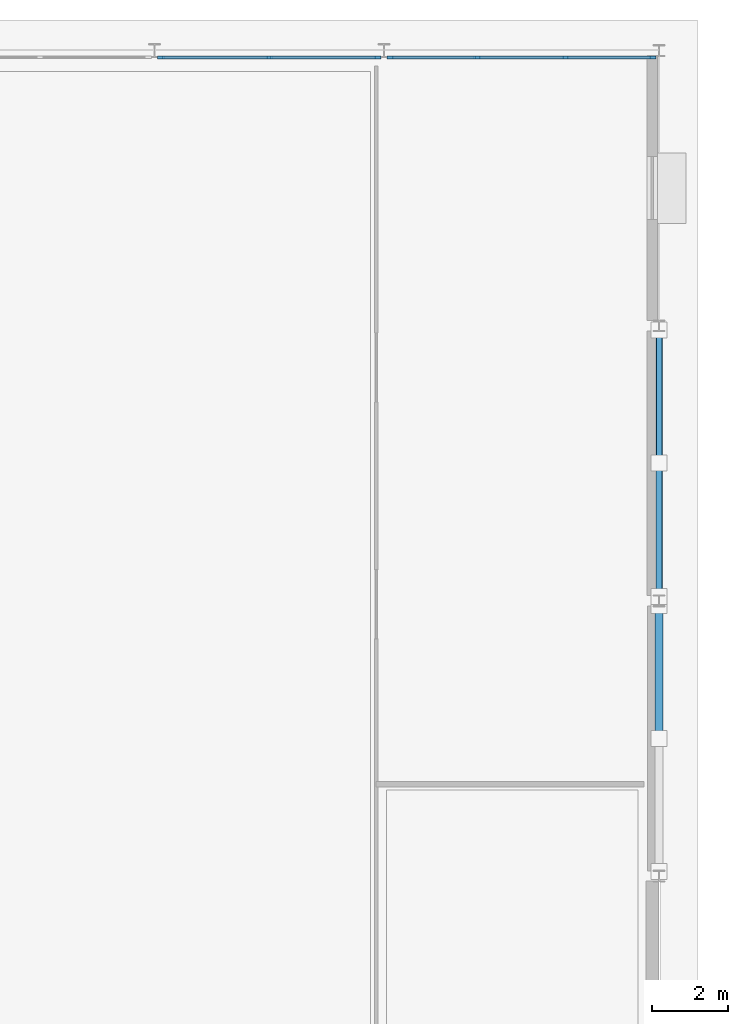
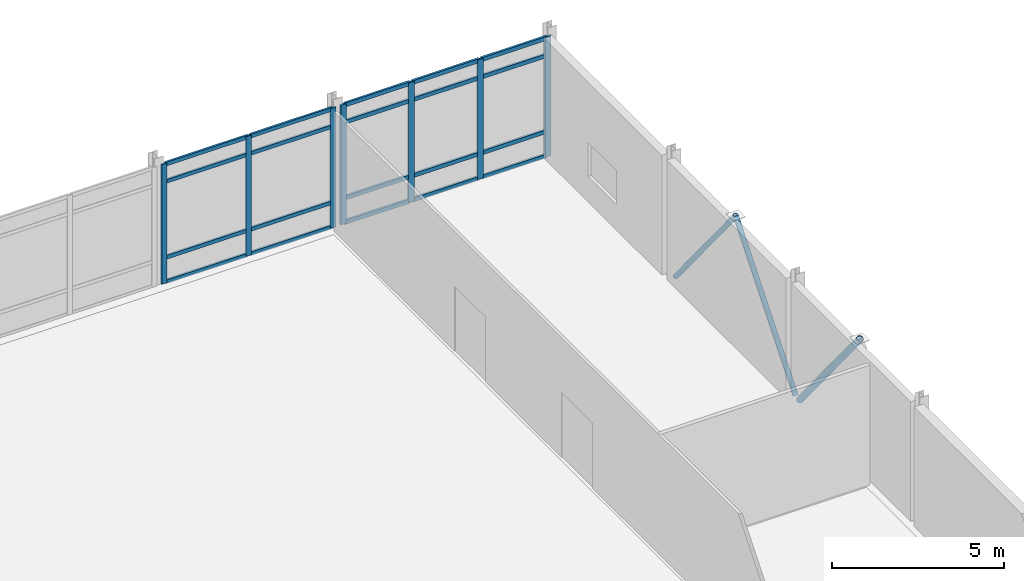
# One storey, part 21 of 58: 30 members, 2 elements without a shape of their own.
"""IFC4 building model written with IfcOpenShell, lengths in metres."""

from ifc_helpers import new_model, si_unit, direction, frame, origin, origin_2d, place, context, subcontext, project, spatial, rectangle, hollow_circle, extrude, material, layer, layer_set, material_profile, profile_set, type_object, element, aggregate, save


model = new_model("IFC4")

# Units and contexts
model_context = context("Model", 3, precision=1e-05, world=origin(), true_north=direction((0.0, 1.0)))
body_context = subcontext(model_context, "Body", "Model", "MODEL_VIEW")
ifc_project = project(units=[si_unit("LENGTHUNIT", "METRE"), si_unit("AREAUNIT", "SQUARE_METRE"), si_unit("VOLUMEUNIT", "CUBIC_METRE"), si_unit("PLANEANGLEUNIT", "RADIAN"), si_unit("MASSUNIT", "GRAM", prefix="KILO")], contexts=[model_context])

# Site, building, storey
site_placement = place(None, origin())
site = spatial("IfcSite", under=ifc_project, at=site_placement, CompositionType="ELEMENT")
building_placement = place(site_placement, origin())
building = spatial("IfcBuilding", under=site, at=building_placement, Name="Brisavento Harbour Community Centre", CompositionType="ELEMENT")
storey_placement = place(building_placement, origin())
storey = spatial("IfcBuildingStorey", under=building, at=storey_placement, Name="L00", CompositionType="ELEMENT", Elevation=0.0)

# Curtain wall, members
ifc_material_1 = material(Name="Marine-anodised aluminium AW-6063-T6", Category="aluminium")
ifc_layer_1 = layer(ifc_material_1, 0.179931640625, Name="Marine-anodised aluminium AW-6063-T6")
ifc_layer_set_1 = layer_set([ifc_layer_1], Name="Marine-anodised aluminium AW-6063-T6")
curtain_wall_type_1 = type_object("IfcCurtainWallType", Name="CW-SYS-14", PredefinedType="USERDEFINED", material=ifc_layer_set_1)
curtain_wall_1_placement = place(storey_placement, origin())
curtain_wall_1 = element("IfcCurtainWall", 1, at=curtain_wall_1_placement, inside=storey, type_object=curtain_wall_type_1, Name="L00 V4 unitised curtain wall 014", ObjectType="UNITISED CURTAIN WALL", PredefinedType="USERDEFINED")
ifc_material_profile_1 = material_profile(ifc_material_1, rectangle(XDim=0.070068359375, YDim=0.179931640625, at=origin_2d()), Name="Marine-anodised aluminium AW-6063-T6")
ifc_profile_set_1 = profile_set([ifc_material_profile_1], Name="Marine-anodised aluminium AW-6063-T6")
member_type_1 = type_object("IfcMemberType", Name="CWM-02", PredefinedType="MULLION", material=ifc_profile_set_1)
member_1_placement = place(storey_placement, frame((159.77001953125, 115.02001953125, 0.0), z_axis=(0.0, 0.0, 1.0), x_axis=(0.0, 1.0, 0.0)))
member_1 = element("IfcMember", 2, at=member_1_placement, type_object=member_type_1, Name="CW-14 mullion 1", PredefinedType="MULLION", context=body_context, shape_type="SweptSolid", body=[
    extrude(rectangle(XDim=0.070068359375, YDim=0.179931640625, at=origin_2d()), origin(), (0.0, 0.0, 1.0), 4.239990234375),
])
member_2_placement = place(storey_placement, frame((162.60009765625, 115.02001953125, 0.0), z_axis=(0.0, 0.0, 1.0), x_axis=(0.0, 1.0, 0.0)))
member_2 = element("IfcMember", 3, at=member_2_placement, type_object=member_type_1, Name="CW-14 mullion 2", PredefinedType="MULLION", context=body_context, shape_type="SweptSolid", body=[
    extrude(rectangle(XDim=0.070068359375, YDim=0.179931640625, at=origin_2d()), origin(), (0.0, 0.0, 1.0), 4.239990234375),
])
member_3_placement = place(storey_placement, frame((165.429931640625, 115.02001953125, 0.0), z_axis=(0.0, 0.0, 1.0), x_axis=(0.0, 1.0, 0.0)))
member_3 = element("IfcMember", 4, at=member_3_placement, type_object=member_type_1, Name="CW-14 mullion 3", PredefinedType="MULLION", context=body_context, shape_type="SweptSolid", body=[
    extrude(rectangle(XDim=0.070068359375, YDim=0.179931640625, at=origin_2d()), origin(), (0.0, 0.0, 1.0), 4.239990234375),
])

ifc_layer_2 = layer(ifc_material_1, 0.179931640625, Name="Marine-anodised aluminium AW-6063-T6")
ifc_layer_set_2 = layer_set([ifc_layer_2], Name="Marine-anodised aluminium AW-6063-T6")
curtain_wall_type_2 = type_object("IfcCurtainWallType", Name="CW-SYS-15", PredefinedType="USERDEFINED", material=ifc_layer_set_2)
curtain_wall_2_placement = place(storey_placement, origin())
curtain_wall_2 = element("IfcCurtainWall", 5, at=curtain_wall_2_placement, inside=storey, type_object=curtain_wall_type_2, Name="L00 V4 unitised curtain wall 015", ObjectType="UNITISED CURTAIN WALL", PredefinedType="USERDEFINED")
ifc_material_profile_2 = material_profile(ifc_material_1, rectangle(XDim=0.074951171875, YDim=0.18994140625, at=origin_2d()), Name="Marine-anodised aluminium AW-6063-T6")
ifc_profile_set_2 = profile_set([ifc_material_profile_2], Name="Marine-anodised aluminium AW-6063-T6")
member_type_2 = type_object("IfcMemberType", Name="CWM-03", PredefinedType="MULLION", material=ifc_profile_set_2)
member_4_placement = place(storey_placement, frame((165.7724609375, 115.02001953125, 0.0), z_axis=(0.0, 0.0, 1.0), x_axis=(0.0, 1.0, 0.0)))
member_4 = element("IfcMember", 6, at=member_4_placement, type_object=member_type_2, Name="CW-15 mullion 1", PredefinedType="MULLION", context=body_context, shape_type="SweptSolid", body=[
    extrude(rectangle(XDim=0.074951171875, YDim=0.18994140625, at=origin_2d()), origin(), (0.0, 0.0, 1.0), 4.239990234375),
])
member_5_placement = place(storey_placement, frame((168.044921875, 115.02001953125, 0.0), z_axis=(0.0, 0.0, 1.0), x_axis=(0.0, 1.0, 0.0)))
member_5 = element("IfcMember", 7, at=member_5_placement, type_object=member_type_2, Name="CW-15 mullion 2", PredefinedType="MULLION", context=body_context, shape_type="SweptSolid", body=[
    extrude(rectangle(XDim=0.074951171875, YDim=0.18994140625, at=origin_2d()), origin(), (0.0, 0.0, 1.0), 4.239990234375),
])
member_6_placement = place(storey_placement, frame((170.35498046875, 115.02001953125, 0.0), z_axis=(0.0, 0.0, 1.0), x_axis=(0.0, 1.0, 0.0)))
member_6 = element("IfcMember", 8, at=member_6_placement, type_object=member_type_2, Name="CW-15 mullion 3", PredefinedType="MULLION", context=body_context, shape_type="SweptSolid", body=[
    extrude(rectangle(XDim=0.074951171875, YDim=0.18994140625, at=origin_2d()), origin(), (0.0, 0.0, 1.0), 4.239990234375),
])
member_7_placement = place(storey_placement, frame((172.62744140625, 115.02001953125, 0.0), z_axis=(0.0, 0.0, 1.0), x_axis=(0.0, 1.0, 0.0)))
member_7 = element("IfcMember", 9, at=member_7_placement, type_object=member_type_2, Name="CW-15 mullion 4", PredefinedType="MULLION", context=body_context, shape_type="SweptSolid", body=[
    extrude(rectangle(XDim=0.074951171875, YDim=0.18994140625, at=origin_2d()), origin(), (0.0, 0.0, 1.0), 4.239990234375),
])

# Member
ifc_material_profile_3 = material_profile(ifc_material_1, rectangle(XDim=0.070068359375, YDim=0.132080078125, at=origin_2d()), Name="Marine-anodised aluminium AW-6063-T6")
ifc_profile_set_3 = profile_set([ifc_material_profile_3], Name="Marine-anodised aluminium AW-6063-T6")
member_type_3 = type_object("IfcMemberType", Name="CWT-02", PredefinedType="USERDEFINED", material=ifc_profile_set_3)
member_8_placement = place(storey_placement, frame((159.804931640625, 115.02001953125, 0.034912109375), z_axis=(1.0, 0.0, 0.0), x_axis=(0.0, 1.0, 0.0)))
member_8 = element("IfcMember", 10, at=member_8_placement, type_object=member_type_3, Name="CW-14 transom 1.1", ObjectType="TRANSOM", PredefinedType="USERDEFINED", context=body_context, shape_type="SweptSolid", body=[
    extrude(rectangle(XDim=0.070068359375, YDim=0.132080078125, at=origin_2d()), origin(), (0.0, 0.0, 1.0), 2.760009765625),
])

member_9_placement = place(storey_placement, frame((159.804931640625, 115.02001953125, 0.89990234375), z_axis=(1.0, 0.0, 0.0), x_axis=(0.0, 1.0, 0.0)))
member_9 = element("IfcMember", 11, at=member_9_placement, type_object=member_type_3, Name="CW-14 transom 1.2", ObjectType="TRANSOM", PredefinedType="USERDEFINED", context=body_context, shape_type="SweptSolid", body=[
    extrude(rectangle(XDim=0.070068359375, YDim=0.132080078125, at=origin_2d()), origin(), (0.0, 0.0, 1.0), 2.760009765625),
])

member_10_placement = place(storey_placement, frame((159.804931640625, 115.02001953125, 3.590087890625), z_axis=(1.0, 0.0, 0.0), x_axis=(0.0, 1.0, 0.0)))
member_10 = element("IfcMember", 12, at=member_10_placement, type_object=member_type_3, Name="CW-14 transom 1.3", ObjectType="TRANSOM", PredefinedType="USERDEFINED", context=body_context, shape_type="SweptSolid", body=[
    extrude(rectangle(XDim=0.070068359375, YDim=0.132080078125, at=origin_2d()), origin(), (0.0, 0.0, 1.0), 2.760009765625),
])

member_11_placement = place(storey_placement, frame((159.804931640625, 115.02001953125, 4.205078125), z_axis=(1.0, 0.0, 0.0), x_axis=(0.0, 1.0, 0.0)))
member_11 = element("IfcMember", 13, at=member_11_placement, type_object=member_type_3, Name="CW-14 transom 1.4", ObjectType="TRANSOM", PredefinedType="USERDEFINED", context=body_context, shape_type="SweptSolid", body=[
    extrude(rectangle(XDim=0.070068359375, YDim=0.132080078125, at=origin_2d()), origin(), (0.0, 0.0, 1.0), 2.760009765625),
])

member_12_placement = place(storey_placement, frame((162.635009765625, 115.02001953125, 0.034912109375), z_axis=(1.0, 0.0, 0.0), x_axis=(0.0, 1.0, 0.0)))
member_12 = element("IfcMember", 14, at=member_12_placement, type_object=member_type_3, Name="CW-14 transom 2.1", ObjectType="TRANSOM", PredefinedType="USERDEFINED", context=body_context, shape_type="SweptSolid", body=[
    extrude(rectangle(XDim=0.070068359375, YDim=0.132080078125, at=origin_2d()), origin(), (0.0, 0.0, 1.0), 2.760009765625),
])

member_13_placement = place(storey_placement, frame((162.635009765625, 115.02001953125, 0.89990234375), z_axis=(1.0, 0.0, 0.0), x_axis=(0.0, 1.0, 0.0)))
member_13 = element("IfcMember", 15, at=member_13_placement, type_object=member_type_3, Name="CW-14 transom 2.2", ObjectType="TRANSOM", PredefinedType="USERDEFINED", context=body_context, shape_type="SweptSolid", body=[
    extrude(rectangle(XDim=0.070068359375, YDim=0.132080078125, at=origin_2d()), origin(), (0.0, 0.0, 1.0), 2.760009765625),
])

member_14_placement = place(storey_placement, frame((162.635009765625, 115.02001953125, 3.590087890625), z_axis=(1.0, 0.0, 0.0), x_axis=(0.0, 1.0, 0.0)))
member_14 = element("IfcMember", 16, at=member_14_placement, type_object=member_type_3, Name="CW-14 transom 2.3", ObjectType="TRANSOM", PredefinedType="USERDEFINED", context=body_context, shape_type="SweptSolid", body=[
    extrude(rectangle(XDim=0.070068359375, YDim=0.132080078125, at=origin_2d()), origin(), (0.0, 0.0, 1.0), 2.760009765625),
])

member_15_placement = place(storey_placement, frame((162.635009765625, 115.02001953125, 4.205078125), z_axis=(1.0, 0.0, 0.0), x_axis=(0.0, 1.0, 0.0)))
member_15 = element("IfcMember", 17, at=member_15_placement, type_object=member_type_3, Name="CW-14 transom 2.4", ObjectType="TRANSOM", PredefinedType="USERDEFINED", context=body_context, shape_type="SweptSolid", body=[
    extrude(rectangle(XDim=0.070068359375, YDim=0.132080078125, at=origin_2d()), origin(), (0.0, 0.0, 1.0), 2.760009765625),
])

aggregate(curtain_wall_1, [member_1, member_2, member_3, member_8, member_9, member_10, member_11, member_12, member_13, member_14, member_15])

ifc_material_profile_4 = material_profile(ifc_material_1, rectangle(XDim=0.074951171875, YDim=0.139892578125, at=origin_2d()), Name="Marine-anodised aluminium AW-6063-T6")
ifc_profile_set_4 = profile_set([ifc_material_profile_4], Name="Marine-anodised aluminium AW-6063-T6")
member_type_4 = type_object("IfcMemberType", Name="CWT-03", PredefinedType="USERDEFINED", material=ifc_profile_set_4)
member_16_placement = place(storey_placement, frame((165.81005859375, 115.02001953125, 0.03759765625), z_axis=(1.0, 0.0, 0.0), x_axis=(0.0, 1.0, 0.0)))
member_16 = element("IfcMember", 18, at=member_16_placement, type_object=member_type_4, Name="CW-15 transom 1.1", ObjectType="TRANSOM", PredefinedType="USERDEFINED", context=body_context, shape_type="SweptSolid", body=[
    extrude(rectangle(XDim=0.074951171875, YDim=0.139892578125, at=origin_2d()), origin(), (0.0, 0.0, 1.0), 2.197509765625),
])

member_17_placement = place(storey_placement, frame((165.81005859375, 115.02001953125, 0.89990234375), z_axis=(1.0, 0.0, 0.0), x_axis=(0.0, 1.0, 0.0)))
member_17 = element("IfcMember", 19, at=member_17_placement, type_object=member_type_4, Name="CW-15 transom 1.2", ObjectType="TRANSOM", PredefinedType="USERDEFINED", context=body_context, shape_type="SweptSolid", body=[
    extrude(rectangle(XDim=0.074951171875, YDim=0.139892578125, at=origin_2d()), origin(), (0.0, 0.0, 1.0), 2.197509765625),
])

member_18_placement = place(storey_placement, frame((165.81005859375, 115.02001953125, 3.590087890625), z_axis=(1.0, 0.0, 0.0), x_axis=(0.0, 1.0, 0.0)))
member_18 = element("IfcMember", 20, at=member_18_placement, type_object=member_type_4, Name="CW-15 transom 1.3", ObjectType="TRANSOM", PredefinedType="USERDEFINED", context=body_context, shape_type="SweptSolid", body=[
    extrude(rectangle(XDim=0.074951171875, YDim=0.139892578125, at=origin_2d()), origin(), (0.0, 0.0, 1.0), 2.197509765625),
])

member_19_placement = place(storey_placement, frame((165.81005859375, 115.02001953125, 4.202392578125), z_axis=(1.0, 0.0, 0.0), x_axis=(0.0, 1.0, 0.0)))
member_19 = element("IfcMember", 21, at=member_19_placement, type_object=member_type_4, Name="CW-15 transom 1.4", ObjectType="TRANSOM", PredefinedType="USERDEFINED", context=body_context, shape_type="SweptSolid", body=[
    extrude(rectangle(XDim=0.074951171875, YDim=0.139892578125, at=origin_2d()), origin(), (0.0, 0.0, 1.0), 2.197509765625),
])

member_20_placement = place(storey_placement, frame((168.08251953125, 115.02001953125, 0.03759765625), z_axis=(1.0, 0.0, 0.0), x_axis=(0.0, 1.0, 0.0)))
member_20 = element("IfcMember", 22, at=member_20_placement, type_object=member_type_4, Name="CW-15 transom 2.1", ObjectType="TRANSOM", PredefinedType="USERDEFINED", context=body_context, shape_type="SweptSolid", body=[
    extrude(rectangle(XDim=0.074951171875, YDim=0.139892578125, at=origin_2d()), origin(), (0.0, 0.0, 1.0), 2.23486328125),
])

member_21_placement = place(storey_placement, frame((168.08251953125, 115.02001953125, 0.89990234375), z_axis=(1.0, 0.0, 0.0), x_axis=(0.0, 1.0, 0.0)))
member_21 = element("IfcMember", 23, at=member_21_placement, type_object=member_type_4, Name="CW-15 transom 2.2", ObjectType="TRANSOM", PredefinedType="USERDEFINED", context=body_context, shape_type="SweptSolid", body=[
    extrude(rectangle(XDim=0.074951171875, YDim=0.139892578125, at=origin_2d()), origin(), (0.0, 0.0, 1.0), 2.23486328125),
])

member_22_placement = place(storey_placement, frame((168.08251953125, 115.02001953125, 3.590087890625), z_axis=(1.0, 0.0, 0.0), x_axis=(0.0, 1.0, 0.0)))
member_22 = element("IfcMember", 24, at=member_22_placement, type_object=member_type_4, Name="CW-15 transom 2.3", ObjectType="TRANSOM", PredefinedType="USERDEFINED", context=body_context, shape_type="SweptSolid", body=[
    extrude(rectangle(XDim=0.074951171875, YDim=0.139892578125, at=origin_2d()), origin(), (0.0, 0.0, 1.0), 2.23486328125),
])

member_23_placement = place(storey_placement, frame((168.08251953125, 115.02001953125, 4.202392578125), z_axis=(1.0, 0.0, 0.0), x_axis=(0.0, 1.0, 0.0)))
member_23 = element("IfcMember", 25, at=member_23_placement, type_object=member_type_4, Name="CW-15 transom 2.4", ObjectType="TRANSOM", PredefinedType="USERDEFINED", context=body_context, shape_type="SweptSolid", body=[
    extrude(rectangle(XDim=0.074951171875, YDim=0.139892578125, at=origin_2d()), origin(), (0.0, 0.0, 1.0), 2.23486328125),
])

member_24_placement = place(storey_placement, frame((170.392578125, 115.02001953125, 0.03759765625), z_axis=(1.0, 0.0, 0.0), x_axis=(0.0, 1.0, 0.0)))
member_24 = element("IfcMember", 26, at=member_24_placement, type_object=member_type_4, Name="CW-15 transom 3.1", ObjectType="TRANSOM", PredefinedType="USERDEFINED", context=body_context, shape_type="SweptSolid", body=[
    extrude(rectangle(XDim=0.074951171875, YDim=0.139892578125, at=origin_2d()), origin(), (0.0, 0.0, 1.0), 2.197509765625),
])

member_25_placement = place(storey_placement, frame((170.392578125, 115.02001953125, 0.89990234375), z_axis=(1.0, 0.0, 0.0), x_axis=(0.0, 1.0, 0.0)))
member_25 = element("IfcMember", 27, at=member_25_placement, type_object=member_type_4, Name="CW-15 transom 3.2", ObjectType="TRANSOM", PredefinedType="USERDEFINED", context=body_context, shape_type="SweptSolid", body=[
    extrude(rectangle(XDim=0.074951171875, YDim=0.139892578125, at=origin_2d()), origin(), (0.0, 0.0, 1.0), 2.197509765625),
])

member_26_placement = place(storey_placement, frame((170.392578125, 115.02001953125, 3.590087890625), z_axis=(1.0, 0.0, 0.0), x_axis=(0.0, 1.0, 0.0)))
member_26 = element("IfcMember", 28, at=member_26_placement, type_object=member_type_4, Name="CW-15 transom 3.3", ObjectType="TRANSOM", PredefinedType="USERDEFINED", context=body_context, shape_type="SweptSolid", body=[
    extrude(rectangle(XDim=0.074951171875, YDim=0.139892578125, at=origin_2d()), origin(), (0.0, 0.0, 1.0), 2.197509765625),
])

member_27_placement = place(storey_placement, frame((170.392578125, 115.02001953125, 4.202392578125), z_axis=(1.0, 0.0, 0.0), x_axis=(0.0, 1.0, 0.0)))
member_27 = element("IfcMember", 29, at=member_27_placement, type_object=member_type_4, Name="CW-15 transom 3.4", ObjectType="TRANSOM", PredefinedType="USERDEFINED", context=body_context, shape_type="SweptSolid", body=[
    extrude(rectangle(XDim=0.074951171875, YDim=0.139892578125, at=origin_2d()), origin(), (0.0, 0.0, 1.0), 2.197509765625),
])

aggregate(curtain_wall_2, [member_4, member_5, member_6, member_7, member_16, member_17, member_18, member_19, member_20, member_21, member_22, member_23, member_24, member_25, member_26, member_27])

# Members
ifc_material_2 = material(Name="Steel S355", Category="steel")
ifc_material_profile_5 = material_profile(ifc_material_2, hollow_circle(Radius=0.084228515625, WallThickness=0.008056640625, at=origin_2d()), Name="Steel S355")
ifc_profile_set_5 = profile_set([ifc_material_profile_5], Name="Steel S355")
member_type_5 = type_object("IfcMemberType", Name="MEM-BRC-CHS168", PredefinedType="BRACE", material=ifc_profile_set_5)
for number, where, z_axis, x_axis, name in (
    (30, (172.800048828125, 100.919921875, 0.0), (0.0, 0.632640623521, 0.774445505811), (-1.0, 0.0, 0.0), "Sports Hall flank chevron brace 3.1"),
    (31, (172.800048828125, 107.8798828125, 0.0), (0.0, -0.632640623521, 0.774445505811), (1.0, 0.0, 0.0), "Sports Hall flank chevron brace 3.2"),
):
    element("IfcMember", number, at=place(storey_placement, frame(where, z_axis=z_axis, x_axis=x_axis)), inside=storey, type_object=member_type_5, Name=name, PredefinedType="BRACE", context=body_context, shape_type="SweptSolid", body=[
        extrude(hollow_circle(Radius=0.084228515625, WallThickness=0.008056640625, at=origin_2d()), origin(), (0.0, 0.0, 1.0), 5.500732421875),
    ])
ifc_material_profile_6 = material_profile(ifc_material_2, hollow_circle(Radius=0.109619140625, WallThickness=0.010009765625, at=origin_2d()), Name="Steel S355")
ifc_profile_set_6 = profile_set([ifc_material_profile_6], Name="Steel S355")
member_type_6 = type_object("IfcMemberType", Name="MEM-BRC-CHS219", PredefinedType="BRACE", material=ifc_profile_set_6)
member_28_placement = place(storey_placement, frame((172.800048828125, 100.679931640625, 0.0), z_axis=(0.0, -0.632640623521, 0.774445505811), x_axis=(1.0, 0.0, 0.0)))
element("IfcMember", 32, at=member_28_placement, inside=storey, type_object=member_type_6, Name="Sports Hall flank chevron brace 1.2", PredefinedType="BRACE", context=body_context, shape_type="SweptSolid", body=[
    extrude(hollow_circle(Radius=0.109619140625, WallThickness=0.010009765625, at=origin_2d()), origin(), (0.0, 0.0, 1.0), 5.500732421875),
])

save(model, "model.ifc")
